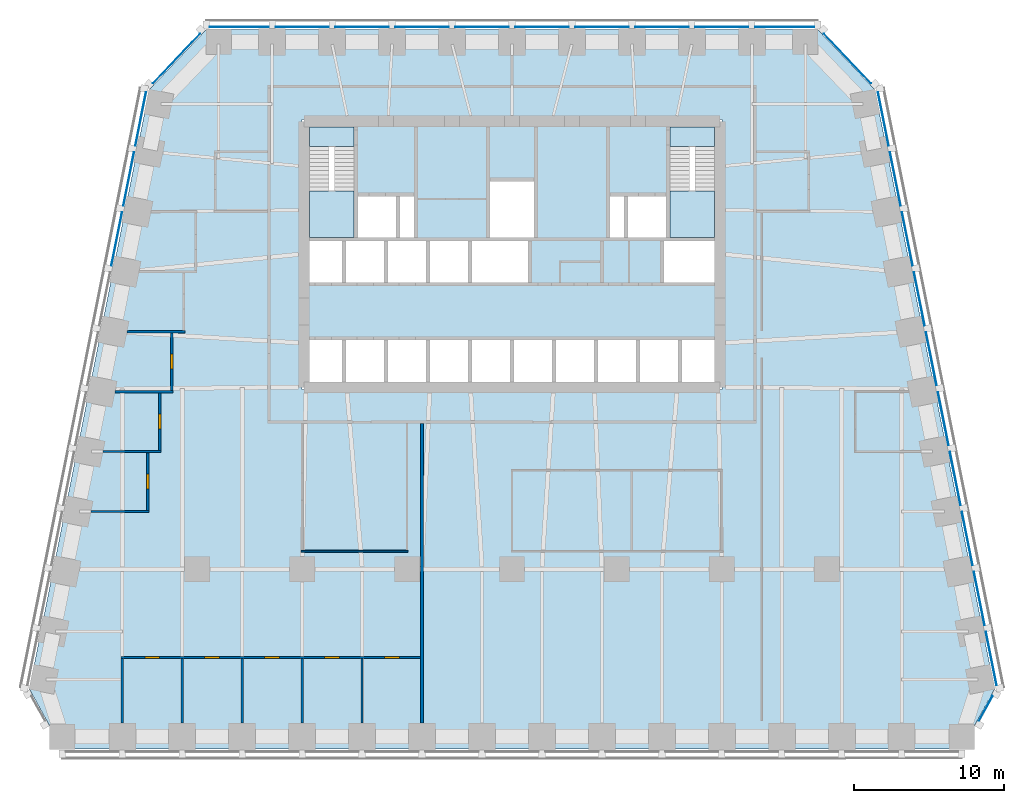
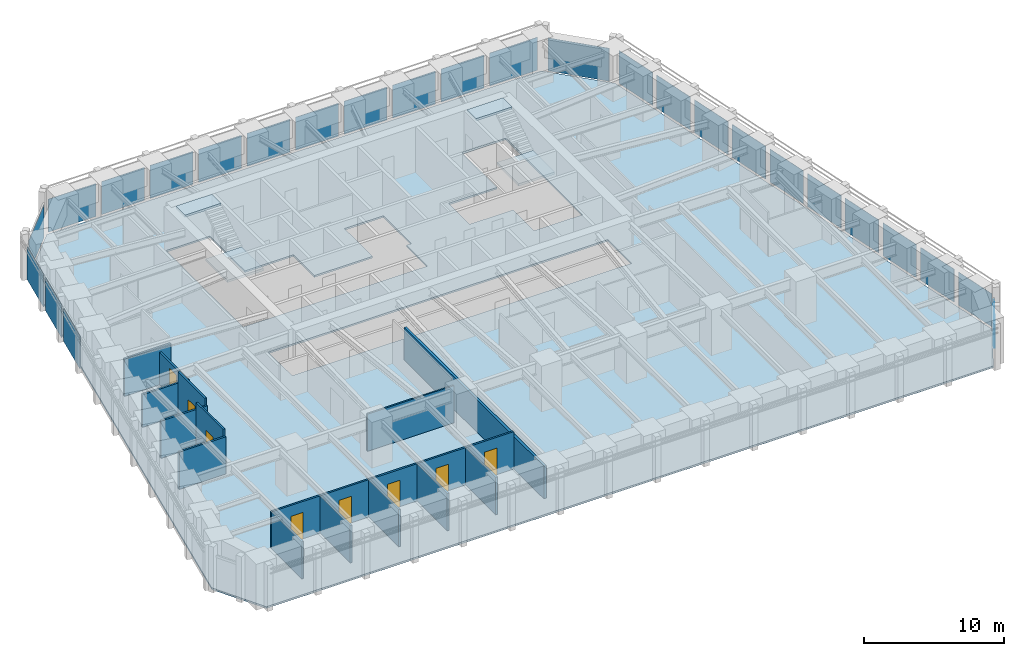
# One storey, part 5 of 10: 26 plates, 15 walls, 8 doors, 5 slabs, 8 openings, 8 elements without a shape of their own.
"""IFC4 building model written with IfcOpenShell, lengths in metres."""

from ifc_helpers import new_model, si_unit, direction, frame, frame_2d, origin, origin_2d, place, context, subcontext, project, spatial, polyline, rectangle, outline, extrude, material, layer, layer_set, type_object, element, fill, aggregate, save


model = new_model("IFC4")

# Units and contexts
model_context = context("Model", 3, precision=1e-05, world=origin(), true_north=direction((0.0, 1.0)))
body_context = subcontext(model_context, "Body", "Model", "MODEL_VIEW")
ifc_project = project(units=[si_unit("LENGTHUNIT", "METRE"), si_unit("AREAUNIT", "SQUARE_METRE"), si_unit("VOLUMEUNIT", "CUBIC_METRE"), si_unit("PLANEANGLEUNIT", "RADIAN"), si_unit("MASSUNIT", "GRAM", prefix="KILO")], contexts=[model_context])

# Site, building, storey
site_placement = place(None, origin())
site = spatial("IfcSite", under=ifc_project, at=site_placement, CompositionType="ELEMENT")
building_placement = place(site_placement, origin())
building = spatial("IfcBuilding", under=site, at=building_placement, Name="Isbrekke Arena Tower", CompositionType="ELEMENT")
storey_placement = place(building_placement, frame((0.0, 0.0, 103.0)))
storey = spatial("IfcBuildingStorey", under=building, at=storey_placement, Name="L22", CompositionType="ELEMENT", Elevation=103.0)

# Curtain wall, plate
ifc_material_1 = material(Name="Glazed aluminium curtain wall", Category="aluminium")
curtain_wall_type = type_object("IfcCurtainWallType", Name="CWM TOWER CURTAIN WALL MID ZONE", PredefinedType="USERDEFINED", material=ifc_material_1)
curtain_wall_1_placement = place(storey_placement, origin())
curtain_wall_1 = element("IfcCurtainWall", 1, at=curtain_wall_1_placement, inside=storey, type_object=curtain_wall_type, Name="CWM curtain wall L22-SE", ObjectType="TOWER CURTAIN WALL MID ZONE", PredefinedType="USERDEFINED")
ifc_material_2 = material(Name="Triple-glazed clear glass unit", Category="glass")
ifc_layer_1 = layer(ifc_material_2, 0.031982421875)
ifc_layer_set_1 = layer_set([ifc_layer_1], Name="CWM-P VISION PANEL")
plate_type = type_object("IfcPlateType", Name="CWM-P VISION PANEL", PredefinedType="CURTAIN_PANEL", material=ifc_layer_set_1)
plate_1_placement = place(storey_placement, frame((31.604248046875, -15.29052734375, 0.02001953125), z_axis=(0.0, 0.0, 1.0), x_axis=(0.481918749773, 0.876215908676, 0.0)))
plate_1 = element("IfcPlate", 2, at=plate_1_placement, type_object=plate_type, Name="CWM-P panel 1", PredefinedType="CURTAIN_PANEL", context=body_context, shape_type="SweptSolid", body=[
    extrude(rectangle(XDim=1.876220703125, YDim=0.031982421875, at=origin_2d()), origin(), (0.0, 0.0, 1.0), 2.8798828125),
])
aggregate(curtain_wall_1, [plate_1])

# Curtain wall, plates
curtain_wall_2_placement = place(storey_placement, origin())
curtain_wall_2 = element("IfcCurtainWall", 3, at=curtain_wall_2_placement, inside=storey, type_object=curtain_wall_type, Name="CWM curtain wall L22-E", ObjectType="TOWER CURTAIN WALL MID ZONE", PredefinedType="USERDEFINED")
plate_2_placement = place(storey_placement, frame((31.9716796875, -11.965576171875, 0.02001953125), z_axis=(0.0, 0.0, 1.0), x_axis=(-0.196116135138, 0.980580675691, 0.0)))
plate_2 = element("IfcPlate", 4, at=plate_2_placement, type_object=plate_type, Name="CWM-P panel 1", PredefinedType="CURTAIN_PANEL", context=body_context, shape_type="SweptSolid", body=[
    extrude(rectangle(XDim=3.629150390625, YDim=0.031982421875, at=origin_2d()), origin(), (0.0, 0.0, 1.0), 2.8798828125),
])
plate_3_placement = place(storey_placement, frame((31.171630859375, -7.965576171875, 0.02001953125), z_axis=(0.0, 0.0, 1.0), x_axis=(-0.196116135138, 0.980580675691, 0.0)))
plate_3 = element("IfcPlate", 5, at=plate_3_placement, type_object=plate_type, Name="CWM-P panel 2", PredefinedType="CURTAIN_PANEL", context=body_context, shape_type="SweptSolid", body=[
    extrude(rectangle(XDim=3.629150390625, YDim=0.031982421875, at=origin_2d()), origin(), (0.0, 0.0, 1.0), 2.8798828125),
])
plate_4_placement = place(storey_placement, frame((30.37158203125, -3.965576171875, 0.02001953125), z_axis=(0.0, 0.0, 1.0), x_axis=(-0.196116135138, 0.980580675691, 0.0)))
plate_4 = element("IfcPlate", 6, at=plate_4_placement, type_object=plate_type, Name="CWM-P panel 3", PredefinedType="CURTAIN_PANEL", context=body_context, shape_type="SweptSolid", body=[
    extrude(rectangle(XDim=3.629150390625, YDim=0.031982421875, at=origin_2d()), origin(), (0.0, 0.0, 1.0), 2.8798828125),
])
plate_5_placement = place(storey_placement, frame((29.571533203125, 0.034423828125, 0.02001953125), z_axis=(0.0, 0.0, 1.0), x_axis=(-0.196116135138, 0.980580675691, 0.0)))
plate_5 = element("IfcPlate", 7, at=plate_5_placement, type_object=plate_type, Name="CWM-P panel 4", PredefinedType="CURTAIN_PANEL", context=body_context, shape_type="SweptSolid", body=[
    extrude(rectangle(XDim=3.629150390625, YDim=0.031982421875, at=origin_2d()), origin(), (0.0, 0.0, 1.0), 2.8798828125),
])
plate_6_placement = place(storey_placement, frame((28.771484375, 4.034423828125, 0.02001953125), z_axis=(0.0, 0.0, 1.0), x_axis=(-0.196116135138, 0.980580675691, 0.0)))
plate_6 = element("IfcPlate", 8, at=plate_6_placement, type_object=plate_type, Name="CWM-P panel 5", PredefinedType="CURTAIN_PANEL", context=body_context, shape_type="SweptSolid", body=[
    extrude(rectangle(XDim=3.629150390625, YDim=0.031982421875, at=origin_2d()), origin(), (0.0, 0.0, 1.0), 2.8798828125),
])
plate_7_placement = place(storey_placement, frame((27.9716796875, 8.034423828125, 0.02001953125), z_axis=(0.0, 0.0, 1.0), x_axis=(-0.196116135138, 0.980580675691, 0.0)))
plate_7 = element("IfcPlate", 9, at=plate_7_placement, type_object=plate_type, Name="CWM-P panel 6", PredefinedType="CURTAIN_PANEL", context=body_context, shape_type="SweptSolid", body=[
    extrude(rectangle(XDim=3.629150390625, YDim=0.031982421875, at=origin_2d()), origin(), (0.0, 0.0, 1.0), 2.8798828125),
])
plate_8_placement = place(storey_placement, frame((27.171630859375, 12.034423828125, 0.02001953125), z_axis=(0.0, 0.0, 1.0), x_axis=(-0.196116135138, 0.980580675691, 0.0)))
plate_8 = element("IfcPlate", 10, at=plate_8_placement, type_object=plate_type, Name="CWM-P panel 7", PredefinedType="CURTAIN_PANEL", context=body_context, shape_type="SweptSolid", body=[
    extrude(rectangle(XDim=3.629150390625, YDim=0.031982421875, at=origin_2d()), origin(), (0.0, 0.0, 1.0), 2.8798828125),
])
plate_9_placement = place(storey_placement, frame((26.37158203125, 16.034423828125, 0.02001953125), z_axis=(0.0, 0.0, 1.0), x_axis=(-0.196116135138, 0.980580675691, 0.0)))
plate_9 = element("IfcPlate", 11, at=plate_9_placement, type_object=plate_type, Name="CWM-P panel 8", PredefinedType="CURTAIN_PANEL", context=body_context, shape_type="SweptSolid", body=[
    extrude(rectangle(XDim=3.629150390625, YDim=0.031982421875, at=origin_2d()), origin(), (0.0, 0.0, 1.0), 2.8798828125),
])
plate_10_placement = place(storey_placement, frame((25.571533203125, 20.034423828125, 0.02001953125), z_axis=(0.0, 0.0, 1.0), x_axis=(-0.196116135138, 0.980580675691, 0.0)))
plate_10 = element("IfcPlate", 12, at=plate_10_placement, type_object=plate_type, Name="CWM-P panel 9", PredefinedType="CURTAIN_PANEL", context=body_context, shape_type="SweptSolid", body=[
    extrude(rectangle(XDim=3.629150390625, YDim=0.031982421875, at=origin_2d()), origin(), (0.0, 0.0, 1.0), 2.8798828125),
])
plate_11_placement = place(storey_placement, frame((24.771484375, 24.034423828125, 0.02001953125), z_axis=(0.0, 0.0, 1.0), x_axis=(-0.196116135138, 0.980580675691, 0.0)))
plate_11 = element("IfcPlate", 13, at=plate_11_placement, type_object=plate_type, Name="CWM-P panel 10", PredefinedType="CURTAIN_PANEL", context=body_context, shape_type="SweptSolid", body=[
    extrude(rectangle(XDim=3.629150390625, YDim=0.031982421875, at=origin_2d()), origin(), (0.0, 0.0, 1.0), 2.8798828125),
])
aggregate(curtain_wall_2, [plate_2, plate_3, plate_4, plate_5, plate_6, plate_7, plate_8, plate_9, plate_10, plate_11])

# Curtain wall, plate
curtain_wall_3_placement = place(storey_placement, origin())
curtain_wall_3 = element("IfcCurtainWall", 14, at=curtain_wall_3_placement, inside=storey, type_object=curtain_wall_type, Name="CWM curtain wall L22-EN", ObjectType="TOWER CURTAIN WALL MID ZONE", PredefinedType="USERDEFINED")
plate_12_placement = place(storey_placement, frame((22.374755859375, 28.06640625, 0.02001953125), z_axis=(0.0, 0.0, 1.0), x_axis=(-0.68874946192, 0.72499943359, 0.0)))
plate_12 = element("IfcPlate", 15, at=plate_12_placement, type_object=plate_type, Name="CWM-P panel 1", PredefinedType="CURTAIN_PANEL", context=body_context, shape_type="SweptSolid", body=[
    extrude(rectangle(XDim=4.558349609375, YDim=0.031982421875, at=origin_2d()), origin(), (0.0, 0.0, 1.0), 2.8798828125),
])
aggregate(curtain_wall_3, [plate_12])

# Curtain wall, plates
curtain_wall_4_placement = place(storey_placement, origin())
curtain_wall_4 = element("IfcCurtainWall", 16, at=curtain_wall_4_placement, inside=storey, type_object=curtain_wall_type, Name="CWM curtain wall L22-N", ObjectType="TOWER CURTAIN WALL MID ZONE", PredefinedType="USERDEFINED")
plate_13_placement = place(storey_placement, frame((18.199951171875, 30.175048828125, 0.02001953125), z_axis=(0.0, 0.0, 1.0), x_axis=(-1.0, 0.0, 0.0)))
plate_13 = element("IfcPlate", 17, at=plate_13_placement, type_object=plate_type, Name="CWM-P panel 1", PredefinedType="CURTAIN_PANEL", context=body_context, shape_type="SweptSolid", body=[
    extrude(rectangle(XDim=3.949951171875, YDim=0.031982421875, at=origin_2d()), origin(), (0.0, 0.0, 1.0), 2.8798828125),
])
plate_14_placement = place(storey_placement, frame((14.0, 30.175048828125, 0.02001953125), z_axis=(0.0, 0.0, 1.0), x_axis=(-1.0, 0.0, 0.0)))
plate_14 = element("IfcPlate", 18, at=plate_14_placement, type_object=plate_type, Name="CWM-P panel 2", PredefinedType="CURTAIN_PANEL", context=body_context, shape_type="SweptSolid", body=[
    extrude(rectangle(XDim=3.550048828125, YDim=0.031982421875, at=origin_2d()), origin(), (0.0, 0.0, 1.0), 2.8798828125),
])
plate_15_placement = place(storey_placement, frame((10.0, 30.175048828125, 0.02001953125), z_axis=(0.0, 0.0, 1.0), x_axis=(-1.0, 0.0, 0.0)))
plate_15 = element("IfcPlate", 19, at=plate_15_placement, type_object=plate_type, Name="CWM-P panel 3", PredefinedType="CURTAIN_PANEL", context=body_context, shape_type="SweptSolid", body=[
    extrude(rectangle(XDim=3.550048828125, YDim=0.031982421875, at=origin_2d()), origin(), (0.0, 0.0, 1.0), 2.8798828125),
])
plate_16_placement = place(storey_placement, frame((6.0, 30.175048828125, 0.02001953125), z_axis=(0.0, 0.0, 1.0), x_axis=(-1.0, 0.0, 0.0)))
plate_16 = element("IfcPlate", 20, at=plate_16_placement, type_object=plate_type, Name="CWM-P panel 4", PredefinedType="CURTAIN_PANEL", context=body_context, shape_type="SweptSolid", body=[
    extrude(rectangle(XDim=3.550048828125, YDim=0.031982421875, at=origin_2d()), origin(), (0.0, 0.0, 1.0), 2.8798828125),
])
plate_17_placement = place(storey_placement, frame((2.0, 30.175048828125, 0.02001953125), z_axis=(0.0, 0.0, 1.0), x_axis=(-1.0, 0.0, 0.0)))
plate_17 = element("IfcPlate", 21, at=plate_17_placement, type_object=plate_type, Name="CWM-P panel 5", PredefinedType="CURTAIN_PANEL", context=body_context, shape_type="SweptSolid", body=[
    extrude(rectangle(XDim=3.550048828125, YDim=0.031982421875, at=origin_2d()), origin(), (0.0, 0.0, 1.0), 2.8798828125),
])
plate_18_placement = place(storey_placement, frame((-2.0, 30.175048828125, 0.02001953125), z_axis=(0.0, 0.0, 1.0), x_axis=(-1.0, 0.0, 0.0)))
plate_18 = element("IfcPlate", 22, at=plate_18_placement, type_object=plate_type, Name="CWM-P panel 6", PredefinedType="CURTAIN_PANEL", context=body_context, shape_type="SweptSolid", body=[
    extrude(rectangle(XDim=3.550048828125, YDim=0.031982421875, at=origin_2d()), origin(), (0.0, 0.0, 1.0), 2.8798828125),
])
plate_19_placement = place(storey_placement, frame((-6.0, 30.175048828125, 0.02001953125), z_axis=(0.0, 0.0, 1.0), x_axis=(-1.0, 0.0, 0.0)))
plate_19 = element("IfcPlate", 23, at=plate_19_placement, type_object=plate_type, Name="CWM-P panel 7", PredefinedType="CURTAIN_PANEL", context=body_context, shape_type="SweptSolid", body=[
    extrude(rectangle(XDim=3.550048828125, YDim=0.031982421875, at=origin_2d()), origin(), (0.0, 0.0, 1.0), 2.8798828125),
])
plate_20_placement = place(storey_placement, frame((-10.0, 30.175048828125, 0.02001953125), z_axis=(0.0, 0.0, 1.0), x_axis=(-1.0, 0.0, 0.0)))
plate_20 = element("IfcPlate", 24, at=plate_20_placement, type_object=plate_type, Name="CWM-P panel 8", PredefinedType="CURTAIN_PANEL", context=body_context, shape_type="SweptSolid", body=[
    extrude(rectangle(XDim=3.550048828125, YDim=0.031982421875, at=origin_2d()), origin(), (0.0, 0.0, 1.0), 2.8798828125),
])
plate_21_placement = place(storey_placement, frame((-14.0, 30.175048828125, 0.02001953125), z_axis=(0.0, 0.0, 1.0), x_axis=(-1.0, 0.0, 0.0)))
plate_21 = element("IfcPlate", 25, at=plate_21_placement, type_object=plate_type, Name="CWM-P panel 9", PredefinedType="CURTAIN_PANEL", context=body_context, shape_type="SweptSolid", body=[
    extrude(rectangle(XDim=3.550048828125, YDim=0.031982421875, at=origin_2d()), origin(), (0.0, 0.0, 1.0), 2.8798828125),
])
plate_22_placement = place(storey_placement, frame((-18.199951171875, 30.175048828125, 0.02001953125), z_axis=(0.0, 0.0, 1.0), x_axis=(-1.0, 0.0, 0.0)))
plate_22 = element("IfcPlate", 26, at=plate_22_placement, type_object=plate_type, Name="CWM-P panel 10", PredefinedType="CURTAIN_PANEL", context=body_context, shape_type="SweptSolid", body=[
    extrude(rectangle(XDim=3.949951171875, YDim=0.031982421875, at=origin_2d()), origin(), (0.0, 0.0, 1.0), 2.8798828125),
])
aggregate(curtain_wall_4, [plate_13, plate_14, plate_15, plate_16, plate_17, plate_18, plate_19, plate_20, plate_21, plate_22])

# Curtain wall, plate
curtain_wall_5_placement = place(storey_placement, origin())
curtain_wall_5 = element("IfcCurtainWall", 27, at=curtain_wall_5_placement, inside=storey, type_object=curtain_wall_type, Name="CWM curtain wall L22-NW", ObjectType="TOWER CURTAIN WALL MID ZONE", PredefinedType="USERDEFINED")
plate_23_placement = place(storey_placement, frame((-22.37451171875, 28.066650390625, 0.02001953125), z_axis=(0.0, 0.0, 1.0), x_axis=(-0.68874946192, -0.72499943359, 0.0)))
plate_23 = element("IfcPlate", 28, at=plate_23_placement, type_object=plate_type, Name="CWM-P panel 1", PredefinedType="CURTAIN_PANEL", context=body_context, shape_type="SweptSolid", body=[
    extrude(rectangle(XDim=4.557373046875, YDim=0.031982421875, at=origin_2d()), origin(), (0.0, 0.0, 1.0), 2.8798828125),
])
aggregate(curtain_wall_5, [plate_23])

# Curtain wall, plates
curtain_wall_6_placement = place(storey_placement, origin())
curtain_wall_6 = element("IfcCurtainWall", 29, at=curtain_wall_6_placement, inside=storey, type_object=curtain_wall_type, Name="CWM curtain wall L22-W", ObjectType="TOWER CURTAIN WALL MID ZONE", PredefinedType="USERDEFINED")
plate_24_placement = place(storey_placement, frame((-24.771484375, 24.034423828125, 0.02001953125), z_axis=(0.0, 0.0, 1.0), x_axis=(-0.196116135138, -0.980580675691, 0.0)))
plate_24 = element("IfcPlate", 30, at=plate_24_placement, type_object=plate_type, Name="CWM-P panel 1", PredefinedType="CURTAIN_PANEL", context=body_context, shape_type="SweptSolid", body=[
    extrude(rectangle(XDim=3.629150390625, YDim=0.031982421875, at=origin_2d()), origin(), (0.0, 0.0, 1.0), 2.8798828125),
])
plate_25_placement = place(storey_placement, frame((-25.571533203125, 20.034423828125, 0.02001953125), z_axis=(0.0, 0.0, 1.0), x_axis=(-0.196116135138, -0.980580675691, 0.0)))
plate_25 = element("IfcPlate", 31, at=plate_25_placement, type_object=plate_type, Name="CWM-P panel 2", PredefinedType="CURTAIN_PANEL", context=body_context, shape_type="SweptSolid", body=[
    extrude(rectangle(XDim=3.629150390625, YDim=0.031982421875, at=origin_2d()), origin(), (0.0, 0.0, 1.0), 2.8798828125),
])
plate_26_placement = place(storey_placement, frame((-26.37158203125, 16.034423828125, 0.02001953125), z_axis=(0.0, 0.0, 1.0), x_axis=(-0.196116135138, -0.980580675691, 0.0)))
plate_26 = element("IfcPlate", 32, at=plate_26_placement, type_object=plate_type, Name="CWM-P panel 3", PredefinedType="CURTAIN_PANEL", context=body_context, shape_type="SweptSolid", body=[
    extrude(rectangle(XDim=3.629150390625, YDim=0.031982421875, at=origin_2d()), origin(), (0.0, 0.0, 1.0), 2.8798828125),
])
aggregate(curtain_wall_6, [plate_24, plate_25, plate_26])

# Slab
ifc_material_3 = material(Name="Concrete B35 (C35/45)", Category="concrete")
ifc_layer_2 = layer(ifc_material_3, 0.14990234375)
ifc_layer_set_2 = layer_set([ifc_layer_2], Name="FS1 COMPOSITE FLOOR 150")
slab_type_1 = type_object("IfcSlabType", Name="FS1 COMPOSITE FLOOR 150", PredefinedType="FLOOR", material=ifc_layer_set_2)
slab_1_placement = place(storey_placement, frame((0.0, 0.0, -0.14990234375)))
element("IfcSlab", 33, at=slab_1_placement, inside=storey, type_object=slab_type_1, Name="FS1 floor slab L22", PredefinedType="FLOOR", context=body_context, shape_type="SweptSolid", body=[
    extrude(outline(polyline([(-30.0, -18.0), (30.0, -18.0), (32.199951171875, -14.0), (24.199951171875, 26.0), (20.39990234375, 30.0), (-20.39990234375, 30.0), (-24.199951171875, 26.0), (-32.199951171875, -14.0), (-30.0, -18.0)]), holes=[polyline([(14.0, 9.39990234375), (14.0, 6.0), (-14.0, 6.0), (-14.0, 9.39990234375), (14.0, 9.39990234375)]), polyline([(-6.39990234375, 19.0), (-6.39990234375, 16.0), (-1.60009765625, 16.0), (-1.60009765625, 20.0), (1.60009765625, 20.0), (1.60009765625, 16.0), (1.199951171875, 16.0), (1.199951171875, 13.0), (-14.0, 13.0), (-14.0, 24.0), (-10.39990234375, 24.0), (-10.39990234375, 19.0), (-6.39990234375, 19.0)]), polyline([(10.0, 13.0), (10.0, 16.0), (6.39990234375, 16.0), (6.39990234375, 19.0), (10.39990234375, 19.0), (10.39990234375, 24.0), (14.0, 24.0), (14.0, 13.0), (10.0, 13.0)])]), origin(), (0.0, 0.0, 1.0), 0.14990234375),
])

# Stair, slabs
ifc_material_4 = material(Name="Concrete B45 (C45/55) precast", Category="concrete")
stair_type = type_object("IfcStairType", Name="ST40 STAIR 1300 WIDE, 24 RISERS 167", PredefinedType="HALF_TURN_STAIR", material=ifc_material_4)
stair_1_placement = place(storey_placement, origin())
stair_1 = element("IfcStair", 34, at=stair_1_placement, inside=storey, type_object=stair_type, Name="ST1 stair L22", PredefinedType="HALF_TURN_STAIR")
ifc_material_5 = material(Name="Concrete B35 (C35/45)", Category="concrete")
ifc_layer_3 = layer(ifc_material_5, 0.199951171875)
ifc_layer_set_3 = layer_set([ifc_layer_3], Name="SL1 STAIR LANDING 200")
slab_type_2 = type_object("IfcSlabType", Name="SL1 STAIR LANDING 200", PredefinedType="LANDING", material=ifc_layer_set_3)
slab_2_placement = place(storey_placement, frame((0.0, 0.0, 1.800048828125)))
slab_2 = element("IfcSlab", 35, at=slab_2_placement, type_object=slab_type_2, Name="ST1 landing 1", PredefinedType="LANDING", context=body_context, shape_type="SweptSolid", body=[
    extrude(outline(polyline([(-13.5, 16.125), (-10.52490234375, 16.125), (-10.52490234375, 19.22998046875), (-13.5, 19.22998046875), (-13.5, 16.125)])), origin(), (0.0, 0.0, 1.0), 0.199951171875),
])
slab_3_placement = place(storey_placement, frame((0.0, 0.0, 3.800048828125)))
slab_3 = element("IfcSlab", 36, at=slab_3_placement, type_object=slab_type_2, Name="ST1 landing 2", PredefinedType="LANDING", context=body_context, shape_type="SweptSolid", body=[
    extrude(outline(polyline([(-13.5, 22.199951171875), (-10.52490234375, 22.199951171875), (-10.52490234375, 23.5), (-13.5, 23.5), (-13.5, 22.199951171875)])), origin(), (0.0, 0.0, 1.0), 0.199951171875),
])
aggregate(stair_1, [slab_2, slab_3])

stair_2_placement = place(storey_placement, origin())
stair_2 = element("IfcStair", 37, at=stair_2_placement, inside=storey, type_object=stair_type, Name="ST2 stair L22", PredefinedType="HALF_TURN_STAIR")
slab_4_placement = place(storey_placement, frame((0.0, 0.0, 1.800048828125)))
slab_4 = element("IfcSlab", 38, at=slab_4_placement, type_object=slab_type_2, Name="ST2 landing 1", PredefinedType="LANDING", context=body_context, shape_type="SweptSolid", body=[
    extrude(outline(polyline([(10.52490234375, 16.125), (13.5, 16.125), (13.5, 19.22998046875), (10.52490234375, 19.22998046875), (10.52490234375, 16.125)])), origin(), (0.0, 0.0, 1.0), 0.199951171875),
])
slab_5_placement = place(storey_placement, frame((0.0, 0.0, 3.800048828125)))
slab_5 = element("IfcSlab", 39, at=slab_5_placement, type_object=slab_type_2, Name="ST2 landing 2", PredefinedType="LANDING", context=body_context, shape_type="SweptSolid", body=[
    extrude(outline(polyline([(10.52490234375, 22.199951171875), (13.5, 22.199951171875), (13.5, 23.5), (10.52490234375, 23.5), (10.52490234375, 22.199951171875)])), origin(), (0.0, 0.0, 1.0), 0.199951171875),
])
aggregate(stair_2, [slab_4, slab_5])

# Wall, openings, doors
ifc_material_6 = material(Name="Gypsum board partition on steel studs", Category="steel")
ifc_layer_4 = layer(ifc_material_6, 0.14990234375)
ifc_layer_set_4 = layer_set([ifc_layer_4], Name="IW1 PARTITION 150")
wall_type_1 = type_object("IfcWallType", Name="IW1 PARTITION 150", PredefinedType="PARTITIONING", material=ifc_layer_set_4)
wall_1_placement = place(storey_placement, frame((-26.074951171875, -11.89990234375, 0.0), z_axis=(0.0, 0.0, 1.0), x_axis=(1.0, 0.0, 0.0)))
wall_1 = element("IfcWall", 40, at=wall_1_placement, inside=storey, type_object=wall_type_1, Name="IW1 partition 150 L22", PredefinedType="PARTITIONING", context=body_context, shape_type="SweptSolid", body=[
    extrude(rectangle(XDim=19.974853515625, YDim=0.14990234375, at=frame_2d((9.9873046875, 0.0))), origin(), (0.0, 0.0, 1.0), 3.25),
])
opening_1_placement = place(wall_1_placement, frame((1.574951171875, 0.0, 0.0)))
opening_1 = element("IfcOpeningElement", 41, at=opening_1_placement, cuts=wall_1, Name="Opening D10", PredefinedType="OPENING", context=body_context, shape_type="SweptSolid", body=[
    extrude(rectangle(XDim=1.0, YDim=2.300048828125, at=frame_2d((0.5, 1.14990234375))), frame((0.0, 0.08984375, 0.0), z_axis=(0.0, -1.0, 0.0), x_axis=(1.0, 0.0, 0.0)), (0.0, 0.0, 1.0), 0.1796875),
])
opening_2_placement = place(wall_1_placement, frame((5.574951171875, 0.0, 0.0)))
opening_2 = element("IfcOpeningElement", 42, at=opening_2_placement, cuts=wall_1, Name="Opening D10", PredefinedType="OPENING", context=body_context, shape_type="SweptSolid", body=[
    extrude(rectangle(XDim=1.0, YDim=2.300048828125, at=frame_2d((0.5, 1.14990234375))), frame((0.0, 0.08984375, 0.0), z_axis=(0.0, -1.0, 0.0), x_axis=(1.0, 0.0, 0.0)), (0.0, 0.0, 1.0), 0.1796875),
])
opening_3_placement = place(wall_1_placement, frame((9.574951171875, 0.0, 0.0)))
opening_3 = element("IfcOpeningElement", 43, at=opening_3_placement, cuts=wall_1, Name="Opening D10", PredefinedType="OPENING", context=body_context, shape_type="SweptSolid", body=[
    extrude(rectangle(XDim=1.0, YDim=2.300048828125, at=frame_2d((0.5, 1.14990234375))), frame((0.0, 0.08984375, 0.0), z_axis=(0.0, -1.0, 0.0), x_axis=(1.0, 0.0, 0.0)), (0.0, 0.0, 1.0), 0.1796875),
])
opening_4_placement = place(wall_1_placement, frame((13.574951171875, 0.0, 0.0)))
opening_4 = element("IfcOpeningElement", 44, at=opening_4_placement, cuts=wall_1, Name="Opening D10", PredefinedType="OPENING", context=body_context, shape_type="SweptSolid", body=[
    extrude(rectangle(XDim=1.0, YDim=2.300048828125, at=frame_2d((0.5, 1.14990234375))), frame((0.0, 0.08984375, 0.0), z_axis=(0.0, -1.0, 0.0), x_axis=(1.0, 0.0, 0.0)), (0.0, 0.0, 1.0), 0.1796875),
])
opening_5_placement = place(wall_1_placement, frame((17.574951171875, 0.0, 0.0)))
opening_5 = element("IfcOpeningElement", 45, at=opening_5_placement, cuts=wall_1, Name="Opening D10", PredefinedType="OPENING", context=body_context, shape_type="SweptSolid", body=[
    extrude(rectangle(XDim=1.0, YDim=2.300048828125, at=frame_2d((0.5, 1.14990234375))), frame((0.0, 0.08984375, 0.0), z_axis=(0.0, -1.0, 0.0), x_axis=(1.0, 0.0, 0.0)), (0.0, 0.0, 1.0), 0.1796875),
])
ifc_material_7 = material(Name="Timber door", Category="wood")
door_type = type_object("IfcDoorType", Name="D10 OFFICE DOOR 1000 x 2300", OperationType="SINGLE_SWING_LEFT", PredefinedType="DOOR", material=ifc_material_7)
door_1_placement = place(opening_1_placement, origin())
door_1 = element("IfcDoor", 46, at=door_1_placement, inside=storey, type_object=door_type, Name="D10 office door L22", OperationType="SINGLE_SWING_LEFT", OverallHeight=2.300048828125, OverallWidth=1.0, PredefinedType="DOOR", context=body_context, shape_type="SweptSolid", body=[
    extrude(rectangle(XDim=1.0, YDim=2.300048828125, at=frame_2d((0.5, 1.14990234375))), frame((0.0, 0.07470703125, 0.0), z_axis=(0.0, -1.0, 0.0), x_axis=(1.0, 0.0, 0.0)), (0.0, 0.0, 1.0), 0.1494140625),
])
fill(opening_1, door_1)
door_2_placement = place(opening_2_placement, origin())
door_2 = element("IfcDoor", 47, at=door_2_placement, inside=storey, type_object=door_type, Name="D10 office door L22", OperationType="SINGLE_SWING_LEFT", OverallHeight=2.300048828125, OverallWidth=1.0, PredefinedType="DOOR", context=body_context, shape_type="SweptSolid", body=[
    extrude(rectangle(XDim=1.0, YDim=2.300048828125, at=frame_2d((0.5, 1.14990234375))), frame((0.0, 0.07470703125, 0.0), z_axis=(0.0, -1.0, 0.0), x_axis=(1.0, 0.0, 0.0)), (0.0, 0.0, 1.0), 0.1494140625),
])
fill(opening_2, door_2)
door_3_placement = place(opening_3_placement, origin())
door_3 = element("IfcDoor", 48, at=door_3_placement, inside=storey, type_object=door_type, Name="D10 office door L22", OperationType="SINGLE_SWING_LEFT", OverallHeight=2.300048828125, OverallWidth=1.0, PredefinedType="DOOR", context=body_context, shape_type="SweptSolid", body=[
    extrude(rectangle(XDim=1.0, YDim=2.300048828125, at=frame_2d((0.5, 1.14990234375))), frame((0.0, 0.07470703125, 0.0), z_axis=(0.0, -1.0, 0.0), x_axis=(1.0, 0.0, 0.0)), (0.0, 0.0, 1.0), 0.1494140625),
])
fill(opening_3, door_3)
door_4_placement = place(opening_4_placement, origin())
door_4 = element("IfcDoor", 49, at=door_4_placement, inside=storey, type_object=door_type, Name="D10 office door L22", OperationType="SINGLE_SWING_LEFT", OverallHeight=2.300048828125, OverallWidth=1.0, PredefinedType="DOOR", context=body_context, shape_type="SweptSolid", body=[
    extrude(rectangle(XDim=1.0, YDim=2.300048828125, at=frame_2d((0.5, 1.14990234375))), frame((0.0, 0.07470703125, 0.0), z_axis=(0.0, -1.0, 0.0), x_axis=(1.0, 0.0, 0.0)), (0.0, 0.0, 1.0), 0.1494140625),
])
fill(opening_4, door_4)
door_5_placement = place(opening_5_placement, origin())
door_5 = element("IfcDoor", 50, at=door_5_placement, inside=storey, type_object=door_type, Name="D10 office door L22", OperationType="SINGLE_SWING_LEFT", OverallHeight=2.300048828125, OverallWidth=1.0, PredefinedType="DOOR", context=body_context, shape_type="SweptSolid", body=[
    extrude(rectangle(XDim=1.0, YDim=2.300048828125, at=frame_2d((0.5, 1.14990234375))), frame((0.0, 0.07470703125, 0.0), z_axis=(0.0, -1.0, 0.0), x_axis=(1.0, 0.0, 0.0)), (0.0, 0.0, 1.0), 0.1494140625),
])
fill(opening_5, door_5)

# Walls
for number, where, z_axis, x_axis, name in (
    (51, (-28.07275390625, -2.159912109375, 0.0), (0.0, 0.0, 1.0), (1.0, 0.0, 0.0), "IW1 partition 150 L22"),
    (52, (-27.272705078125, 1.840087890625, 0.0), (0.0, 0.0, 1.0), (1.0, 0.0, 0.0), "IW1 partition 150 L22"),
):
    element("IfcWall", number, at=place(storey_placement, frame(where, z_axis=z_axis, x_axis=x_axis)), inside=storey, type_object=wall_type_1, Name=name, PredefinedType="PARTITIONING", context=body_context, shape_type="SweptSolid", body=[
        extrude(rectangle(XDim=3.84765625, YDim=0.14990234375, at=frame_2d((1.923828125, 0.0))), origin(), (0.0, 0.0, 1.0), 3.25),
    ])
wall_2_placement = place(storey_placement, frame((-26.472900390625, 5.840087890625, 0.0), z_axis=(0.0, 0.0, 1.0), x_axis=(1.0, 0.0, 0.0)))
element("IfcWall", 53, at=wall_2_placement, inside=storey, type_object=wall_type_1, Name="IW1 partition 150 L22", PredefinedType="PARTITIONING", context=body_context, shape_type="SweptSolid", body=[
    extrude(rectangle(XDim=3.847900390625, YDim=0.14990234375, at=frame_2d((1.923828125, 0.0))), origin(), (0.0, 0.0, 1.0), 2.842041015625),
])
wall_3_placement = place(storey_placement, frame((-25.6728515625, 9.840087890625, 0.0), z_axis=(0.0, 0.0, 1.0), x_axis=(1.0, 0.0, 0.0)))
element("IfcWall", 54, at=wall_3_placement, inside=storey, type_object=wall_type_1, Name="IW1 partition 150 L22", PredefinedType="PARTITIONING", context=body_context, shape_type="SweptSolid", body=[
    extrude(rectangle(XDim=3.847900390625, YDim=0.14990234375, at=frame_2d((1.923828125, 0.0))), origin(), (0.0, 0.0, 1.0), 3.25),
])
wall_4_placement = place(storey_placement, frame((-26.0, -16.27490234375, 0.0), z_axis=(0.0, 0.0, 1.0), x_axis=(0.0, 1.0, 0.0)))
element("IfcWall", 55, at=wall_4_placement, inside=storey, type_object=wall_type_1, Name="IW1 partition 150 L22", PredefinedType="PARTITIONING", context=body_context, shape_type="SweptSolid", body=[
    extrude(rectangle(XDim=4.2998046875, YDim=0.14990234375, at=frame_2d((2.14990234375, 0.0))), origin(), (0.0, 0.0, 1.0), 3.25),
])

# Wall, opening, door
wall_5_placement = place(storey_placement, frame((-24.300048828125, -2.0849609375, 0.0), z_axis=(0.0, 0.0, 1.0), x_axis=(0.0, 1.0, 0.0)))
wall_5 = element("IfcWall", 56, at=wall_5_placement, inside=storey, type_object=wall_type_1, Name="IW1 partition 150 L22", PredefinedType="PARTITIONING", context=body_context, shape_type="SweptSolid", body=[
    extrude(rectangle(XDim=3.849853515625, YDim=0.14990234375, at=frame_2d((1.9248046875, 0.0))), origin(), (0.0, 0.0, 1.0), 3.85009765625),
])
opening_6_placement = place(wall_5_placement, frame((1.425048828125, 0.0, 0.0)))
opening_6 = element("IfcOpeningElement", 57, at=opening_6_placement, cuts=wall_5, Name="Opening D10", PredefinedType="OPENING", context=body_context, shape_type="SweptSolid", body=[
    extrude(rectangle(XDim=1.0, YDim=2.300048828125, at=frame_2d((0.5, 1.14990234375))), frame((0.0, 0.08984375, 0.0), z_axis=(0.0, -1.0, 0.0), x_axis=(1.0, 0.0, 0.0)), (0.0, 0.0, 1.0), 0.1796875),
])
door_6_placement = place(opening_6_placement, origin())
door_6 = element("IfcDoor", 58, at=door_6_placement, inside=storey, type_object=door_type, Name="D10 office door L22", OperationType="SINGLE_SWING_LEFT", OverallHeight=2.300048828125, OverallWidth=1.0, PredefinedType="DOOR", context=body_context, shape_type="SweptSolid", body=[
    extrude(rectangle(XDim=1.0, YDim=2.300048828125, at=frame_2d((0.5, 1.14990234375))), frame((0.0, 0.07470703125, 0.0), z_axis=(0.0, -1.0, 0.0), x_axis=(1.0, 0.0, 0.0)), (0.0, 0.0, 1.0), 0.1494140625),
])
fill(opening_6, door_6)

wall_6_placement = place(storey_placement, frame((-23.5, 1.9150390625, 0.0), z_axis=(0.0, 0.0, 1.0), x_axis=(0.0, 1.0, 0.0)))
wall_6 = element("IfcWall", 59, at=wall_6_placement, inside=storey, type_object=wall_type_1, Name="IW1 partition 150 L22", PredefinedType="PARTITIONING", context=body_context, shape_type="SweptSolid", body=[
    extrude(rectangle(XDim=3.849853515625, YDim=0.14990234375, at=frame_2d((1.9248046875, 0.0))), origin(), (0.0, 0.0, 1.0), 3.85009765625),
])
opening_7_placement = place(wall_6_placement, frame((1.425048828125, 0.0, 0.0)))
opening_7 = element("IfcOpeningElement", 60, at=opening_7_placement, cuts=wall_6, Name="Opening D10", PredefinedType="OPENING", context=body_context, shape_type="SweptSolid", body=[
    extrude(rectangle(XDim=1.0, YDim=2.300048828125, at=frame_2d((0.5, 1.14990234375))), frame((0.0, 0.08984375, 0.0), z_axis=(0.0, -1.0, 0.0), x_axis=(1.0, 0.0, 0.0)), (0.0, 0.0, 1.0), 0.1796875),
])
door_7_placement = place(opening_7_placement, origin())
door_7 = element("IfcDoor", 61, at=door_7_placement, inside=storey, type_object=door_type, Name="D10 office door L22", OperationType="SINGLE_SWING_LEFT", OverallHeight=2.300048828125, OverallWidth=1.0, PredefinedType="DOOR", context=body_context, shape_type="SweptSolid", body=[
    extrude(rectangle(XDim=1.0, YDim=2.300048828125, at=frame_2d((0.5, 1.14990234375))), frame((0.0, 0.07470703125, 0.0), z_axis=(0.0, -1.0, 0.0), x_axis=(1.0, 0.0, 0.0)), (0.0, 0.0, 1.0), 0.1494140625),
])
fill(opening_7, door_7)

wall_7_placement = place(storey_placement, frame((-22.699951171875, 5.9150390625, 0.0), z_axis=(0.0, 0.0, 1.0), x_axis=(0.0, 1.0, 0.0)))
wall_7 = element("IfcWall", 62, at=wall_7_placement, inside=storey, type_object=wall_type_1, Name="IW1 partition 150 L22", PredefinedType="PARTITIONING", context=body_context, shape_type="SweptSolid", body=[
    extrude(rectangle(XDim=3.849853515625, YDim=0.14990234375, at=frame_2d((1.9248046875, 0.0))), origin(), (0.0, 0.0, 1.0), 2.842041015625),
])
opening_8_placement = place(wall_7_placement, frame((1.425048828125, 0.0, 0.0)))
opening_8 = element("IfcOpeningElement", 63, at=opening_8_placement, cuts=wall_7, Name="Opening D10", PredefinedType="OPENING", context=body_context, shape_type="SweptSolid", body=[
    extrude(rectangle(XDim=1.0, YDim=2.300048828125, at=frame_2d((0.5, 1.14990234375))), frame((0.0, 0.08984375, 0.0), z_axis=(0.0, -1.0, 0.0), x_axis=(1.0, 0.0, 0.0)), (0.0, 0.0, 1.0), 0.1796875),
])
door_8_placement = place(opening_8_placement, origin())
door_8 = element("IfcDoor", 64, at=door_8_placement, inside=storey, type_object=door_type, Name="D10 office door L22", OperationType="SINGLE_SWING_LEFT", OverallHeight=2.300048828125, OverallWidth=1.0, PredefinedType="DOOR", context=body_context, shape_type="SweptSolid", body=[
    extrude(rectangle(XDim=1.0, YDim=2.300048828125, at=frame_2d((0.5, 1.14990234375))), frame((0.0, 0.07470703125, 0.0), z_axis=(0.0, -1.0, 0.0), x_axis=(1.0, 0.0, 0.0)), (0.0, 0.0, 1.0), 0.1494140625),
])
fill(opening_8, door_8)

# Walls
for number, where, z_axis, x_axis, name in (
    (65, (-22.0, -16.27490234375, 0.0), (0.0, 0.0, 1.0), (0.0, 1.0, 0.0), "IW1 partition 150 L22"),
    (66, (-18.0, -16.27490234375, 0.0), (0.0, 0.0, 1.0), (0.0, 1.0, 0.0), "IW1 partition 150 L22"),
    (67, (-14.0, -16.27490234375, 0.0), (0.0, 0.0, 1.0), (0.0, 1.0, 0.0), "IW1 partition 150 L22"),
    (68, (-10.0, -16.27490234375, 0.0), (0.0, 0.0, 1.0), (0.0, 1.0, 0.0), "IW1 partition 150 L22"),
):
    element("IfcWall", number, at=place(storey_placement, frame(where, z_axis=z_axis, x_axis=x_axis)), inside=storey, type_object=wall_type_1, Name=name, PredefinedType="PARTITIONING", context=body_context, shape_type="SweptSolid", body=[
        extrude(rectangle(XDim=4.2998046875, YDim=0.14990234375, at=frame_2d((2.14990234375, 0.0))), origin(), (0.0, 0.0, 1.0), 3.25),
    ])
ifc_material_8 = material(Name="Frameless glazed partition, laminated acoustic glass", Category="glass")
ifc_layer_5 = layer(ifc_material_8, 0.1201171875)
ifc_layer_set_5 = layer_set([ifc_layer_5], Name="IW2 GLAZED PARTITION 120")
wall_type_2 = type_object("IfcWallType", Name="IW2 GLAZED PARTITION 120", PredefinedType="PARTITIONING", material=ifc_layer_set_5)
wall_8_placement = place(storey_placement, frame((-14.06005859375, -4.800048828125, 0.0), z_axis=(0.0, 0.0, 1.0), x_axis=(1.0, 0.0, 0.0)))
element("IfcWall", 69, at=wall_8_placement, inside=storey, type_object=wall_type_2, Name="IW2 glazed partition 120 L22", PredefinedType="PARTITIONING", context=body_context, shape_type="SweptSolid", body=[
    extrude(rectangle(XDim=7.1201171875, YDim=0.1201171875, at=frame_2d((3.56005859375, 0.0))), origin(), (0.0, 0.0, 1.0), 3.25),
])
ifc_material_9 = material(Name="Gypsum board fire-cell wall on steel studs, two layers each side", Category="steel")
ifc_layer_6 = layer(ifc_material_9, 0.199951171875)
ifc_layer_set_6 = layer_set([ifc_layer_6], Name="IW3 FIRE-CELL WALL 200")
wall_type_3 = type_object("IfcWallType", Name="IW3 FIRE-CELL WALL 200", PredefinedType="PARTITIONING", material=ifc_layer_set_6)
wall_9_placement = place(storey_placement, frame((-6.0, -16.27490234375, 0.0), z_axis=(0.0, 0.0, 1.0), x_axis=(0.0, 1.0, 0.0)))
element("IfcWall", 70, at=wall_9_placement, inside=storey, type_object=wall_type_3, Name="IW3 fire-cell wall 200 L22", PredefinedType="PARTITIONING", context=body_context, shape_type="SweptSolid", body=[
    extrude(rectangle(XDim=19.974853515625, YDim=0.199951171875, at=frame_2d((9.9873046875, 0.0))), origin(), (0.0, 0.0, 1.0), 2.842041015625),
])

save(model, "model.ifc")
